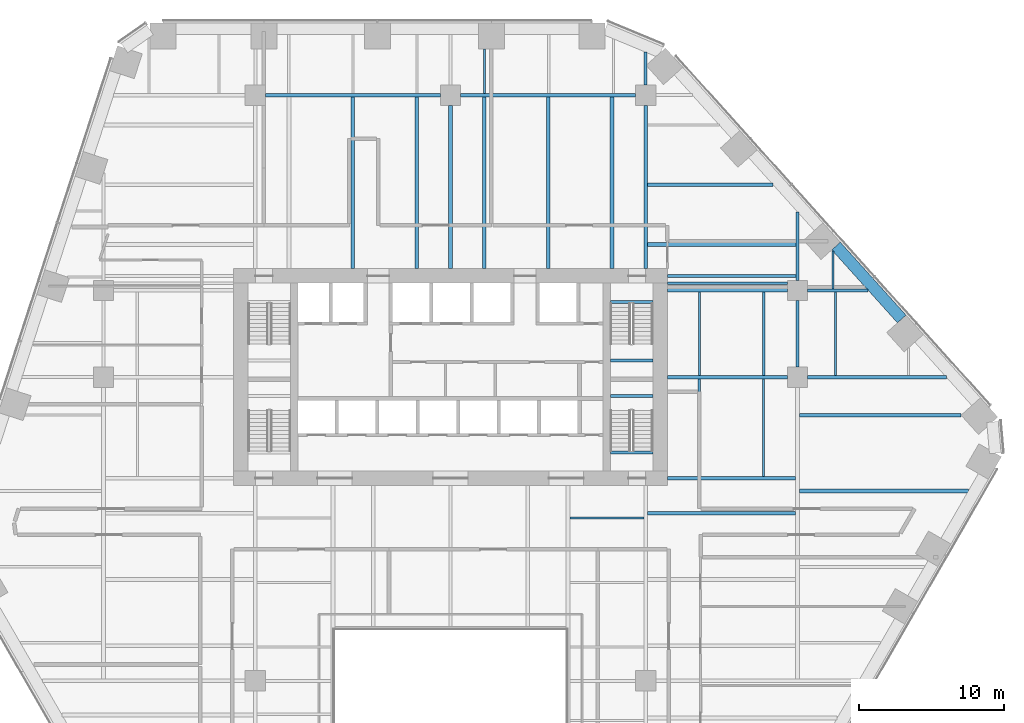
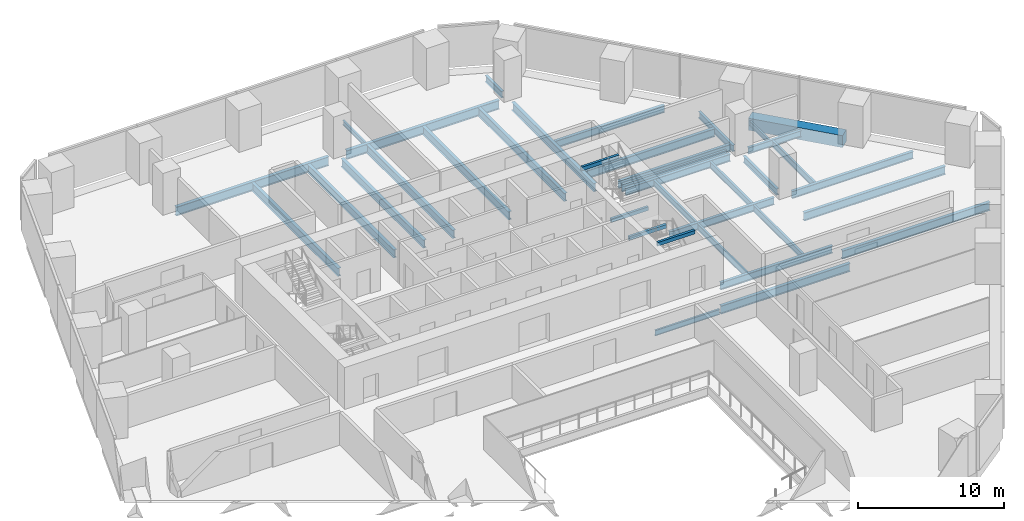
# One storey, part 9 of 20: 37 beams.
"""IFC4 building model written with IfcOpenShell, lengths in metres."""

from ifc_helpers import new_model, si_unit, direction, frame, origin, origin_2d, place, context, subcontext, project, spatial, rectangle, i_section, extrude, material, material_profile, profile_set, type_object, element, save


model = new_model("IFC4")

# Units and contexts
model_context = context("Model", 3, precision=1e-05, world=origin(), true_north=direction((0.0, 1.0)))
body_context = subcontext(model_context, "Body", "Model", "MODEL_VIEW")
ifc_project = project(units=[si_unit("LENGTHUNIT", "METRE"), si_unit("AREAUNIT", "SQUARE_METRE"), si_unit("VOLUMEUNIT", "CUBIC_METRE"), si_unit("PLANEANGLEUNIT", "RADIAN"), si_unit("MASSUNIT", "GRAM", prefix="KILO")], contexts=[model_context])

# Site, building, storey
site_placement = place(None, origin())
site = spatial("IfcSite", under=ifc_project, at=site_placement, CompositionType="ELEMENT")
building_placement = place(site_placement, origin())
building = spatial("IfcBuilding", under=site, at=building_placement, Name="Isthmus Gate Tower", CompositionType="ELEMENT")
storey_placement = place(building_placement, frame((0.0, 0.0, 57.89990234375)))
storey = spatial("IfcBuildingStorey", under=building, at=storey_placement, Name="L12", CompositionType="ELEMENT", Elevation=57.89990234375)

# Beams
ifc_material_1 = material(Name="Concrete f'c 70 MPa", Category="concrete")
ifc_material_profile_1 = material_profile(ifc_material_1, rectangle(XDim=0.800048828125, YDim=1.0, at=origin_2d()), Name="RC 800X1000")
ifc_profile_set_1 = profile_set([ifc_material_profile_1], Name="Concrete f'c 70 MPa")
beam_type_1 = type_object("IfcBeamType", Name="RC SPANDREL 800 X 1000", PredefinedType="SPANDREL", material=ifc_profile_set_1)
beam_1_placement = place(storey_placement, frame((26.664794921875, 16.566162109375, -0.5), z_axis=(0.669117690519, -0.743156454748, 0.0), x_axis=(0.743156454748, 0.669117690519, 0.0)))
element("IfcBeam", 1, at=beam_1_placement, inside=storey, type_object=beam_type_1, Name="str-spandrel-L12-03", PredefinedType="SPANDREL", context=body_context, shape_type="SweptSolid", body=[
    extrude(rectangle(XDim=0.800048828125, YDim=1.0, at=origin_2d()), origin(), (0.0, 0.0, 1.0), 6.78955078125),
])
ifc_material_2 = material(Name="Concrete f'c 40 MPa", Category="concrete")
ifc_material_profile_2 = material_profile(ifc_material_2, rectangle(XDim=0.199951171875, YDim=0.300048828125, at=origin_2d()), Name="STAIR LANDING BEAM RC 200 X 300")
ifc_profile_set_2 = profile_set([ifc_material_profile_2], Name="Concrete f'c 40 MPa")
beam_type_2 = type_object("IfcBeamType", Name="STAIR LANDING BEAM RC 200 X 300", PredefinedType="BEAM", material=ifc_profile_set_2)
for number, where, z_axis, x_axis, name in (
    (2, (11.050048828125, 8.64990234375, 1.47509765625), (1.0, 0.0, 0.0), (0.0, 1.0, 0.0), "L12 ST2 landing beam 1"),
    (3, (11.050048828125, 12.7001953125, 3.35009765625), (1.0, 0.0, 0.0), (0.0, 1.0, 0.0), "L12 ST2 floor-edge seat beam"),
    (4, (11.050048828125, 6.199951171875, 1.47509765625), (1.0, 0.0, 0.0), (0.0, 1.0, 0.0), "L12 ST8 landing beam 1"),
    (5, (11.050048828125, 2.2998046875, 3.35009765625), (1.0, 0.0, 0.0), (0.0, 1.0, 0.0), "L12 ST8 floor-edge seat beam"),
):
    element("IfcBeam", number, at=place(storey_placement, frame(where, z_axis=z_axis, x_axis=x_axis)), inside=storey, type_object=beam_type_2, Name=name, PredefinedType="BEAM", context=body_context, shape_type="SweptSolid", body=[
        extrude(rectangle(XDim=0.199951171875, YDim=0.300048828125, at=origin_2d()), origin(), (0.0, 0.0, 1.0), 2.949951171875),
    ])
ifc_material_3 = material(Name="Structural steel ASTM A992 Gr 50", Category="steel")
ifc_material_profile_3 = material_profile(ifc_material_3, i_section(OverallWidth=0.1396484375, OverallDepth=0.4033203125, WebThickness=0.00634765625, FlangeThickness=0.010986328125, at=origin_2d()), Name="W16X31")
ifc_profile_set_3 = profile_set([ifc_material_profile_3], Name="Structural steel ASTM A992 Gr 50")
beam_type_3 = type_object("IfcBeamType", Name="STEEL FLOOR BEAM W16X31", PredefinedType="JOIST", material=ifc_profile_set_3)
beam_2_placement = place(storey_placement, frame((2.33740234375, 27.1318359375, -0.3515625), z_axis=(0.0, 1.0, 0.0), x_axis=(-1.0, 0.0, 0.0)))
element("IfcBeam", 6, at=beam_2_placement, inside=storey, type_object=beam_type_3, Name="str-beam-L12-19-00", PredefinedType="JOIST", context=body_context, shape_type="SweptSolid", body=[
    extrude(i_section(OverallWidth=0.1396484375, OverallDepth=0.4033203125, WebThickness=0.00634765625, FlangeThickness=0.010986328125, at=origin_2d()), origin(), (0.0, 0.0, 1.0), 3.068115234375),
])
beam_3_placement = place(storey_placement, frame((26.448974609375, 13.604736328125, -0.3515625), z_axis=(0.0, 1.0, 0.0), x_axis=(-1.0, 0.0, 0.0)))
element("IfcBeam", 7, at=beam_3_placement, inside=storey, type_object=beam_type_3, Name="str-beam-L12-32-00", PredefinedType="JOIST", context=body_context, shape_type="SweptSolid", body=[
    extrude(i_section(OverallWidth=0.1396484375, OverallDepth=0.4033203125, WebThickness=0.00634765625, FlangeThickness=0.010986328125, at=origin_2d()), origin(), (0.0, 0.0, 1.0), 2.603515625),
])
ifc_material_4 = material(Name="Structural steel ASTM A992 Gr 50", Category="steel")
ifc_material_profile_4 = material_profile(ifc_material_4, i_section(OverallWidth=0.15234375, OverallDepth=0.45068359375, WebThickness=0.0078125, FlangeThickness=0.010986328125, at=origin_2d()), Name="W18X35")
ifc_profile_set_4 = profile_set([ifc_material_profile_4], Name="Structural steel ASTM A992 Gr 50")
beam_type_4 = type_object("IfcBeamType", Name="STEEL FLOOR BEAM W18X35", PredefinedType="JOIST", material=ifc_profile_set_4)
beam_4_placement = place(storey_placement, frame((8.263427734375, -2.232421875, -0.375244140625), z_axis=(1.0, 0.0, 0.0), x_axis=(0.0, 1.0, 0.0)))
element("IfcBeam", 8, at=beam_4_placement, inside=storey, type_object=beam_type_4, Name="str-beam-L12-23-02", PredefinedType="JOIST", context=body_context, shape_type="SweptSolid", body=[
    extrude(i_section(OverallWidth=0.15234375, OverallDepth=0.45068359375, WebThickness=0.0078125, FlangeThickness=0.010986328125, at=origin_2d()), origin(), (0.0, 0.0, 1.0), 5.104736328125),
])
ifc_material_5 = material(Name="Structural steel ASTM A992 Gr 50", Category="steel")
ifc_material_profile_5 = material_profile(ifc_material_5, i_section(OverallWidth=0.1650390625, OverallDepth=0.52392578125, WebThickness=0.009521484375, FlangeThickness=0.010986328125, at=origin_2d()), Name="W21X44")
ifc_profile_set_5 = profile_set([ifc_material_profile_5], Name="Structural steel ASTM A992 Gr 50")
beam_type_5 = type_object("IfcBeamType", Name="STEEL FLOOR BEAM W21X44", PredefinedType="JOIST", material=ifc_profile_set_5)
for number, where, z_axis, x_axis, name in (
    (9, (17.223876953125, 7.6142578125, -0.411865234375), (0.0, 1.0, 0.0), (-1.0, 0.0, 0.0), "str-beam-L12-30-00"),
    (10, (21.67138671875, 7.6142578125, -0.411865234375), (0.0, 1.0, 0.0), (-1.0, 0.0, 0.0), "str-beam-L12-30-01"),
):
    element("IfcBeam", number, at=place(storey_placement, frame(where, z_axis=z_axis, x_axis=x_axis)), inside=storey, type_object=beam_type_5, Name=name, PredefinedType="JOIST", context=body_context, shape_type="SweptSolid", body=[
        extrude(i_section(OverallWidth=0.1650390625, OverallDepth=0.52392578125, WebThickness=0.009521484375, FlangeThickness=0.010986328125, at=origin_2d()), origin(), (0.0, 0.0, 1.0), 5.771484375),
    ])
for number, where, z_axis, x_axis, name in (
    (11, (17.216552734375, 0.6142578125, -0.411865234375), (0.0, 1.0, 0.0), (-1.0, 0.0, 0.0), "str-beam-L12-31-00"),
    (12, (21.64990234375, 0.6142578125, -0.411865234375), (0.0, 1.0, 0.0), (-1.0, 0.0, 0.0), "str-beam-L12-31-01"),
):
    element("IfcBeam", number, at=place(storey_placement, frame(where, z_axis=z_axis, x_axis=x_axis)), inside=storey, type_object=beam_type_5, Name=name, PredefinedType="JOIST", context=body_context, shape_type="SweptSolid", body=[
        extrude(i_section(OverallWidth=0.1650390625, OverallDepth=0.52392578125, WebThickness=0.009521484375, FlangeThickness=0.010986328125, at=origin_2d()), origin(), (0.0, 0.0, 1.0), 6.771484375),
    ])
beam_5_placement = place(storey_placement, frame((26.625244140625, 7.6142578125, -0.411865234375), z_axis=(0.0, 1.0, 0.0), x_axis=(-1.0, 0.0, 0.0)))
element("IfcBeam", 13, at=beam_5_placement, inside=storey, type_object=beam_type_5, Name="str-beam-L12-33-00", PredefinedType="JOIST", context=body_context, shape_type="SweptSolid", body=[
    extrude(i_section(OverallWidth=0.1650390625, OverallDepth=0.52392578125, WebThickness=0.009521484375, FlangeThickness=0.010986328125, at=origin_2d()), origin(), (0.0, 0.0, 1.0), 5.781005859375),
])
ifc_material_6 = material(Name="Structural steel ASTM A992 Gr 50", Category="steel")
ifc_material_profile_6 = material_profile(ifc_material_6, i_section(OverallWidth=0.177734375, OverallDepth=0.60009765625, WebThickness=0.009521484375, FlangeThickness=0.0126953125, at=origin_2d()), Name="W24X55")
ifc_profile_set_6 = profile_set([ifc_material_profile_6], Name="Structural steel ASTM A992 Gr 50")
beam_type_6 = type_object("IfcBeamType", Name="STEEL FLOOR BEAM W24X55", PredefinedType="JOIST", material=ifc_profile_set_6)
beam_6_placement = place(storey_placement, frame((15.0, 14.0, -0.449951171875), z_axis=(1.0, 0.0, 0.0), x_axis=(0.0, 1.0, 0.0)))
element("IfcBeam", 14, at=beam_6_placement, inside=storey, type_object=beam_type_6, Name="str-beam-L12-29-00", PredefinedType="JOIST", context=body_context, shape_type="SweptSolid", body=[
    extrude(i_section(OverallWidth=0.177734375, OverallDepth=0.60009765625, WebThickness=0.009521484375, FlangeThickness=0.0126953125, at=origin_2d()), origin(), (0.0, 0.0, 1.0), 8.300048828125),
])
ifc_material_7 = material(Name="Structural steel ASTM A992 Gr 50", Category="steel")
ifc_material_profile_7 = material_profile(ifc_material_7, i_section(OverallWidth=0.228515625, OverallDepth=0.603271484375, WebThickness=0.010986328125, FlangeThickness=0.014404296875, at=origin_2d()), Name="W24X68")
ifc_profile_set_7 = profile_set([ifc_material_profile_7], Name="Structural steel ASTM A992 Gr 50")
beam_type_7 = type_object("IfcBeamType", Name="STEEL FLOOR BEAM W24X68", PredefinedType="JOIST", material=ifc_profile_set_7)
beam_7_placement = place(storey_placement, frame((13.626953125, 20.80712890625, -0.451416015625), z_axis=(1.0, 0.0, 0.0), x_axis=(0.0, 1.0, 0.0)))
element("IfcBeam", 15, at=beam_7_placement, inside=storey, type_object=beam_type_7, Name="str-beam-L12-26-01", PredefinedType="JOIST", context=body_context, shape_type="SweptSolid", body=[
    extrude(i_section(OverallWidth=0.228515625, OverallDepth=0.603271484375, WebThickness=0.010986328125, FlangeThickness=0.014404296875, at=origin_2d()), origin(), (0.0, 0.0, 1.0), 8.680908203125),
])
ifc_material_8 = material(Name="Structural steel ASTM A992 Gr 50", Category="steel")
ifc_material_profile_8 = material_profile(ifc_material_8, i_section(OverallWidth=0.25390625, OverallDepth=0.679443359375, WebThickness=0.010986328125, FlangeThickness=0.015869140625, at=origin_2d()), Name="W27X84")
ifc_profile_set_8 = profile_set([ifc_material_profile_8], Name="Structural steel ASTM A992 Gr 50")
beam_type_8 = type_object("IfcBeamType", Name="STEEL FLOOR BEAM W27X84", PredefinedType="JOIST", material=ifc_profile_set_8)
for number, where, z_axis, x_axis, name in (
    (16, (-6.75, 15.0, -0.489501953125), (0.0, 1.0, 0.0), (-1.0, 0.0, 0.0), "str-beam-L12-13-01"),
    (17, (-2.334716796875, 15.0, -0.489501953125), (0.0, 1.0, 0.0), (-1.0, 0.0, 0.0), "str-beam-L12-13-02"),
    (18, (2.334716796875, 15.0, -0.489501953125), (0.0, 1.0, 0.0), (-1.0, 0.0, 0.0), "str-beam-L12-20-00"),
    (19, (6.75, 15.0, -0.489501953125), (0.0, 1.0, 0.0), (-1.0, 0.0, 0.0), "str-beam-L12-20-01"),
    (20, (11.165283203125, 15.0, -0.489501953125), (0.0, 1.0, 0.0), (-1.0, 0.0, 0.0), "str-beam-L12-20-02"),
):
    element("IfcBeam", number, at=place(storey_placement, frame(where, z_axis=z_axis, x_axis=x_axis)), inside=storey, type_object=beam_type_8, Name=name, PredefinedType="JOIST", context=body_context, shape_type="SweptSolid", body=[
        extrude(i_section(OverallWidth=0.25390625, OverallDepth=0.679443359375, WebThickness=0.010986328125, FlangeThickness=0.015869140625, at=origin_2d()), origin(), (0.0, 0.0, 1.0), 11.8681640625),
    ])
beam_8_placement = place(storey_placement, frame((13.626953125, 16.678466796875, -0.489501953125), z_axis=(1.0, 0.0, 0.0), x_axis=(0.0, 1.0, 0.0)))
element("IfcBeam", 21, at=beam_8_placement, inside=storey, type_object=beam_type_8, Name="str-beam-L12-26-00", PredefinedType="JOIST", context=body_context, shape_type="SweptSolid", body=[
    extrude(i_section(OverallWidth=0.25390625, OverallDepth=0.679443359375, WebThickness=0.010986328125, FlangeThickness=0.015869140625, at=origin_2d()), origin(), (0.0, 0.0, 1.0), 10.268310546875),
])
beam_9_placement = place(storey_placement, frame((13.6318359375, -1.90625, -0.489501953125), z_axis=(1.0, 0.0, 0.0), x_axis=(0.0, 1.0, 0.0)))
element("IfcBeam", 22, at=beam_9_placement, inside=storey, type_object=beam_type_8, Name="str-beam-L12-27-02", PredefinedType="JOIST", context=body_context, shape_type="SweptSolid", body=[
    extrude(i_section(OverallWidth=0.25390625, OverallDepth=0.679443359375, WebThickness=0.010986328125, FlangeThickness=0.015869140625, at=origin_2d()), origin(), (0.0, 0.0, 1.0), 10.23486328125),
])
beam_10_placement = place(storey_placement, frame((24.13330078125, -0.375, -0.489501953125), z_axis=(1.0, 0.0, 0.0), x_axis=(0.0, 1.0, 0.0)))
element("IfcBeam", 23, at=beam_10_placement, inside=storey, type_object=beam_type_8, Name="str-beam-L12-34-02", PredefinedType="JOIST", context=body_context, shape_type="SweptSolid", body=[
    extrude(i_section(OverallWidth=0.25390625, OverallDepth=0.679443359375, WebThickness=0.010986328125, FlangeThickness=0.015869140625, at=origin_2d()), origin(), (0.0, 0.0, 1.0), 11.6767578125),
])
beam_11_placement = place(storey_placement, frame((24.13330078125, 4.875, -0.489501953125), z_axis=(1.0, 0.0, 0.0), x_axis=(0.0, 1.0, 0.0)))
element("IfcBeam", 24, at=beam_11_placement, inside=storey, type_object=beam_type_8, Name="str-beam-L12-34-03", PredefinedType="JOIST", context=body_context, shape_type="SweptSolid", body=[
    extrude(i_section(OverallWidth=0.25390625, OverallDepth=0.679443359375, WebThickness=0.010986328125, FlangeThickness=0.015869140625, at=origin_2d()), origin(), (0.0, 0.0, 1.0), 11.185302734375),
])
ifc_material_9 = material(Name="Structural steel ASTM A992 Gr 50", Category="steel")
ifc_material_profile_9 = material_profile(ifc_material_9, i_section(OverallWidth=0.20947265625, OverallDepth=0.533447265625, WebThickness=0.009521484375, FlangeThickness=0.015869140625, at=origin_2d()), Name="W21X62")
ifc_profile_set_9 = profile_set([ifc_material_profile_9], Name="Structural steel ASTM A992 Gr 50")
beam_type_9 = type_object("IfcBeamType", Name="STEEL GIRDER W21X62", PredefinedType="BEAM", material=ifc_profile_set_9)
beam_12_placement = place(storey_placement, frame((24.699951171875, 13.5, -0.41650390625), z_axis=(1.0, 0.0, 0.0), x_axis=(0.0, 1.0, 0.0)))
element("IfcBeam", 25, at=beam_12_placement, inside=storey, type_object=beam_type_9, Name="str-girder-L12-15", PredefinedType="BEAM", context=body_context, shape_type="SweptSolid", body=[
    extrude(i_section(OverallWidth=0.20947265625, OverallDepth=0.533447265625, WebThickness=0.009521484375, FlangeThickness=0.015869140625, at=origin_2d()), origin(), (0.0, 0.0, 1.0), 4.187255859375),
])
beam_13_placement = place(storey_placement, frame((13.5, 27.699951171875, -0.41650390625), z_axis=(0.0, 1.0, 0.0), x_axis=(-1.0, 0.0, 0.0)))
element("IfcBeam", 26, at=beam_13_placement, inside=storey, type_object=beam_type_9, Name="str-girder-L12-34", PredefinedType="BEAM", context=body_context, shape_type="SweptSolid", body=[
    extrude(i_section(OverallWidth=0.20947265625, OverallDepth=0.533447265625, WebThickness=0.009521484375, FlangeThickness=0.015869140625, at=origin_2d()), origin(), (0.0, 0.0, 1.0), 2.27001953125),
])
beam_14_placement = place(storey_placement, frame((24.0, 8.199951171875, -0.41650390625), z_axis=(0.0, 1.0, 0.0), x_axis=(-1.0, 0.0, 0.0)))
element("IfcBeam", 27, at=beam_14_placement, inside=storey, type_object=beam_type_9, Name="str-girder-L12-36", PredefinedType="BEAM", context=body_context, shape_type="SweptSolid", body=[
    extrude(i_section(OverallWidth=0.20947265625, OverallDepth=0.533447265625, WebThickness=0.009521484375, FlangeThickness=0.015869140625, at=origin_2d()), origin(), (0.0, 0.0, 1.0), 4.60009765625),
])
beam_15_placement = place(storey_placement, frame((24.0, 14.199951171875, -0.41650390625), z_axis=(0.0, 1.0, 0.0), x_axis=(-1.0, 0.0, 0.0)))
element("IfcBeam", 28, at=beam_15_placement, inside=storey, type_object=beam_type_9, Name="str-girder-L12-37", PredefinedType="BEAM", context=body_context, shape_type="SweptSolid", body=[
    extrude(i_section(OverallWidth=0.20947265625, OverallDepth=0.533447265625, WebThickness=0.009521484375, FlangeThickness=0.015869140625, at=origin_2d()), origin(), (0.0, 0.0, 1.0), 4.72802734375),
])
ifc_material_10 = material(Name="Structural steel ASTM A992 Gr 50", Category="steel")
ifc_material_profile_10 = material_profile(ifc_material_10, i_section(OverallWidth=0.228515625, OverallDepth=0.6064453125, WebThickness=0.010986328125, FlangeThickness=0.017578125, at=origin_2d()), Name="W24X76")
ifc_profile_set_10 = profile_set([ifc_material_profile_10], Name="Structural steel ASTM A992 Gr 50")
beam_type_10 = type_object("IfcBeamType", Name="STEEL GIRDER W24X76", PredefinedType="BEAM", material=ifc_profile_set_10)
beam_16_placement = place(storey_placement, frame((15.0, 7.5, -0.453125), z_axis=(1.0, 0.0, 0.0), x_axis=(0.0, 1.0, 0.0)))
element("IfcBeam", 29, at=beam_16_placement, inside=storey, type_object=beam_type_10, Name="str-girder-L12-11", PredefinedType="BEAM", context=body_context, shape_type="SweptSolid", body=[
    extrude(i_section(OverallWidth=0.228515625, OverallDepth=0.6064453125, WebThickness=0.010986328125, FlangeThickness=0.017578125, at=origin_2d()), origin(), (0.0, 0.0, 1.0), 8.300048828125),
])
beam_17_placement = place(storey_placement, frame((24.699951171875, 7.5, -0.453125), z_axis=(1.0, 0.0, 0.0), x_axis=(0.0, 1.0, 0.0)))
element("IfcBeam", 30, at=beam_17_placement, inside=storey, type_object=beam_type_10, Name="str-girder-L12-12", PredefinedType="BEAM", context=body_context, shape_type="SweptSolid", body=[
    extrude(i_section(OverallWidth=0.228515625, OverallDepth=0.6064453125, WebThickness=0.010986328125, FlangeThickness=0.017578125, at=origin_2d()), origin(), (0.0, 0.0, 1.0), 9.58984375),
])
beam_18_placement = place(storey_placement, frame((15.0, 13.5, -0.453125), z_axis=(1.0, 0.0, 0.0), x_axis=(0.0, 1.0, 0.0)))
element("IfcBeam", 31, at=beam_18_placement, inside=storey, type_object=beam_type_10, Name="str-girder-L12-14", PredefinedType="BEAM", context=body_context, shape_type="SweptSolid", body=[
    extrude(i_section(OverallWidth=0.228515625, OverallDepth=0.6064453125, WebThickness=0.010986328125, FlangeThickness=0.017578125, at=origin_2d()), origin(), (0.0, 0.0, 1.0), 8.300048828125),
])
beam_19_placement = place(storey_placement, frame((15.0, 0.5, -0.453125), z_axis=(1.0, 0.0, 0.0), x_axis=(0.0, 1.0, 0.0)))
element("IfcBeam", 32, at=beam_19_placement, inside=storey, type_object=beam_type_10, Name="str-girder-L12-39", PredefinedType="BEAM", context=body_context, shape_type="SweptSolid", body=[
    extrude(i_section(OverallWidth=0.228515625, OverallDepth=0.6064453125, WebThickness=0.010986328125, FlangeThickness=0.017578125, at=origin_2d()), origin(), (0.0, 0.0, 1.0), 8.86669921875),
])
beam_20_placement = place(storey_placement, frame((15.0, 14.5, -0.453125), z_axis=(1.0, 0.0, 0.0), x_axis=(0.0, 1.0, 0.0)))
element("IfcBeam", 33, at=beam_20_placement, inside=storey, type_object=beam_type_10, Name="str-girder-L12-41", PredefinedType="BEAM", context=body_context, shape_type="SweptSolid", body=[
    extrude(i_section(OverallWidth=0.228515625, OverallDepth=0.6064453125, WebThickness=0.010986328125, FlangeThickness=0.017578125, at=origin_2d()), origin(), (0.0, 0.0, 1.0), 8.895263671875),
])
ifc_material_11 = material(Name="Structural steel ASTM A992 Gr 50", Category="steel")
ifc_material_profile_11 = material_profile(ifc_material_11, i_section(OverallWidth=0.25390625, OverallDepth=0.679443359375, WebThickness=0.010986328125, FlangeThickness=0.015869140625, at=origin_2d()), Name="W27X84")
ifc_profile_set_11 = profile_set([ifc_material_profile_11], Name="Structural steel ASTM A992 Gr 50")
beam_type_11 = type_object("IfcBeamType", Name="STEEL GIRDER W27X84", PredefinedType="BEAM", material=ifc_profile_set_11)
for number, where, z_axis, x_axis, name in (
    (34, (0.0, 15.0, -0.489501953125), (0.0, 1.0, 0.0), (-1.0, 0.0, 0.0), "str-girder-L12-29"),
    (35, (13.5, 15.0, -0.489501953125), (0.0, 1.0, 0.0), (-1.0, 0.0, 0.0), "str-girder-L12-33"),
):
    element("IfcBeam", number, at=place(storey_placement, frame(where, z_axis=z_axis, x_axis=x_axis)), inside=storey, type_object=beam_type_11, Name=name, PredefinedType="BEAM", context=body_context, shape_type="SweptSolid", body=[
        extrude(i_section(OverallWidth=0.25390625, OverallDepth=0.679443359375, WebThickness=0.010986328125, FlangeThickness=0.015869140625, at=origin_2d()), origin(), (0.0, 0.0, 1.0), 11.300048828125),
    ])
ifc_material_12 = material(Name="Structural steel ASTM A992 Gr 50", Category="steel")
ifc_material_profile_12 = material_profile(ifc_material_12, i_section(OverallWidth=0.263427734375, OverallDepth=0.749267578125, WebThickness=0.0126953125, FlangeThickness=0.015869140625, at=origin_2d()), Name="W30X90")
ifc_profile_set_12 = profile_set([ifc_material_profile_12], Name="Structural steel ASTM A992 Gr 50")
beam_type_12 = type_object("IfcBeamType", Name="STEEL GIRDER W30X90", PredefinedType="BEAM", material=ifc_profile_set_12)
for number, where, z_axis, x_axis, name in (
    (36, (-12.800048828125, 27.0, -0.524658203125), (1.0, 0.0, 0.0), (0.0, 1.0, 0.0), "str-girder-L12-17"),
    (37, (0.699951171875, 27.0, -0.524658203125), (1.0, 0.0, 0.0), (0.0, 1.0, 0.0), "str-girder-L12-18"),
):
    element("IfcBeam", number, at=place(storey_placement, frame(where, z_axis=z_axis, x_axis=x_axis)), inside=storey, type_object=beam_type_12, Name=name, PredefinedType="BEAM", context=body_context, shape_type="SweptSolid", body=[
        extrude(i_section(OverallWidth=0.263427734375, OverallDepth=0.749267578125, WebThickness=0.0126953125, FlangeThickness=0.015869140625, at=origin_2d()), origin(), (0.0, 0.0, 1.0), 12.10009765625),
    ])

save(model, "model.ifc")
